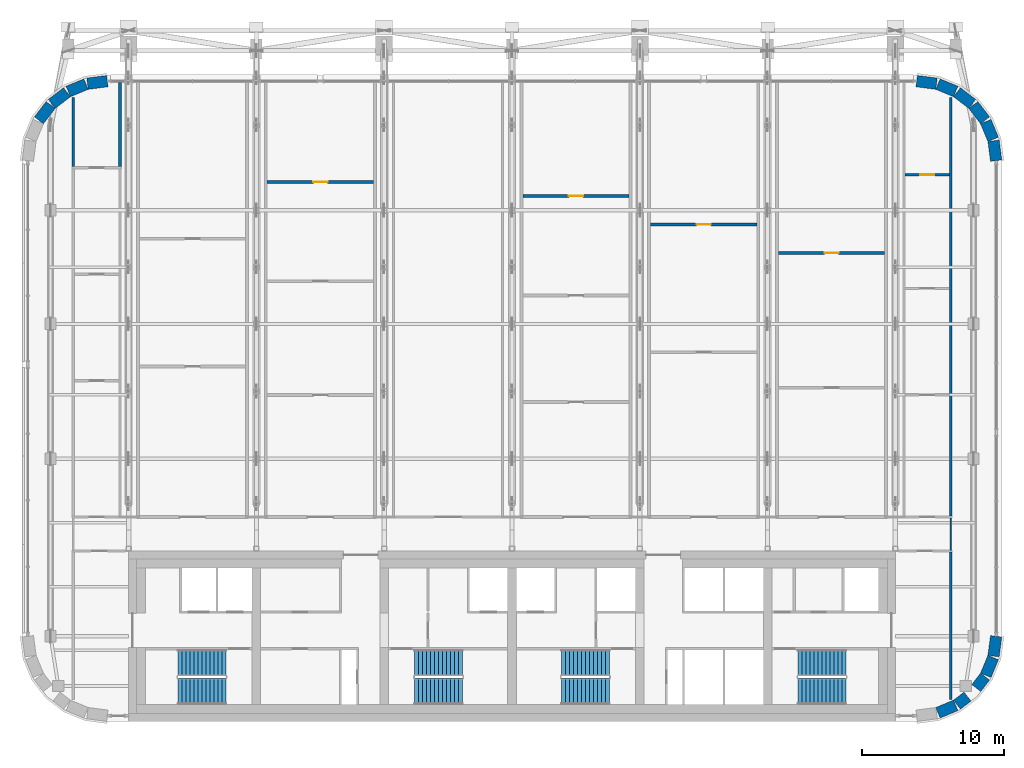
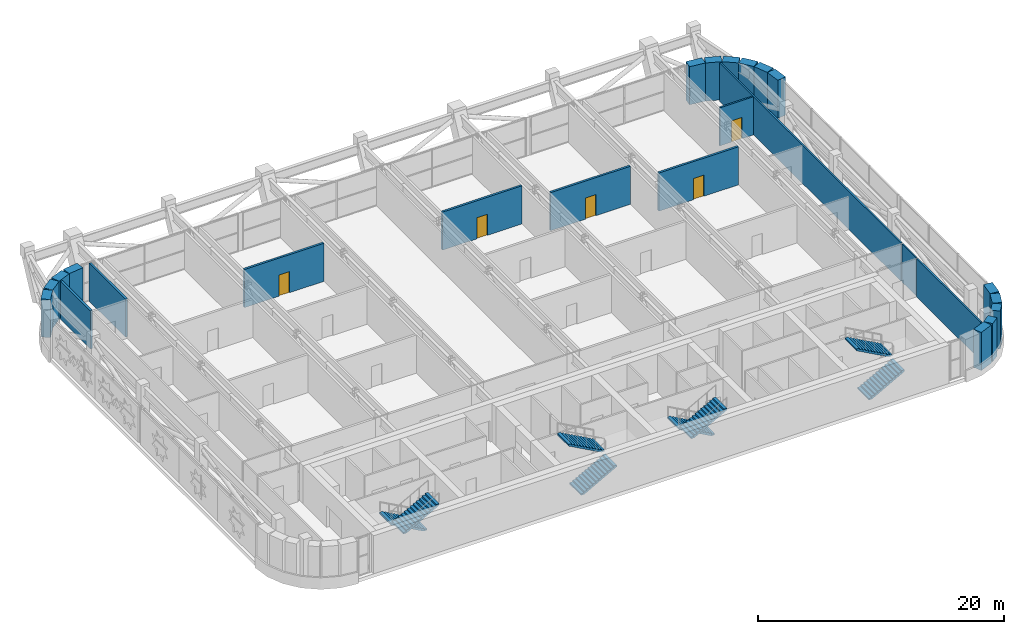
# One storey, part 21 of 28: 25 walls, 8 stair flights, 5 doors, 5 openings, 4 elements without a shape of their own.
"""IFC4 building model written with IfcOpenShell, lengths in metres."""

import ifcopenshell
import ifcopenshell.guid

model = None  # the IFC model being written
_history = None  # IfcOwnerHistory: only IFC2X3 demands one
_inside = {}  # id of a spatial element -> (the spatial element, [elements in it])
_under = {}  # id of a project, library or spatial element -> (it, [spatial elements below it])
_declared = {}  # id of a project -> (the project, [libraries it declares])
_typed = {}  # id of a type object -> (the type object, [elements of that type])
_made_of = {}  # id of a material, layer set ... -> (it, [elements and type objects made of it])


def new_model(schema):
    """Start an empty IFC model of exactly this schema.

    Asked for "IFC4X3", IfcOpenShell would pick the latest addendum, in which some entities
    have other attributes; the version numbers below select the first issue.
    IFC2X3 requires an IfcOwnerHistory on every rooted entity: one is made here for all.
    """
    global model, _history
    if schema == "IFC4X3":
        model = ifcopenshell.file(schema_version=(4, 3, 0, 0))
    else:
        model = ifcopenshell.file(schema=schema)
    _inside.clear()
    _under.clear()
    _declared.clear()
    _typed.clear()
    _made_of.clear()
    _history = None
    if model.schema == "IFC2X3":
        org = make("IfcOrganization", Name="unknown")
        user = make(
            "IfcPersonAndOrganization",
            ThePerson=make("IfcPerson", FamilyName="unknown"),
            TheOrganization=org,
        )
        app = make(
            "IfcApplication",
            ApplicationDeveloper=org,
            Version="unknown",
            ApplicationFullName="unknown",
            ApplicationIdentifier="unknown",
        )
        _history = make(
            "IfcOwnerHistory",
            OwningUser=user,
            OwningApplication=app,
            ChangeAction="ADDED",
            CreationDate=0,
        )
    return model


def make(cls, **values):
    """One entity of the class cls with the attributes given. An attribute that is None is left unset."""
    return model.create_entity(
        cls, **{name: value for name, value in values.items() if value is not None}
    )


def rooted(cls, **values):
    """An entity with a GlobalId (a new one), such as an element, a storey or a relation."""
    return make(cls, GlobalId=ifcopenshell.guid.new(), OwnerHistory=_history, **values)


def si_unit(unit_type, name, prefix=None):
    """IfcSIUnit, for example si_unit("LENGTHUNIT", "METRE", prefix="MILLI")."""
    return make("IfcSIUnit", UnitType=unit_type, Prefix=prefix, Name=name)


def assignment(units):
    """IfcUnitAssignment: the units of a project."""
    return None if units is None else make("IfcUnitAssignment", Units=units)


def point(xyz):
    """IfcCartesianPoint."""
    return None if xyz is None else make("IfcCartesianPoint", Coordinates=xyz)


def direction(xyz):
    """IfcDirection."""
    return None if xyz is None else make("IfcDirection", DirectionRatios=xyz)


def frame(location, z_axis=None, x_axis=None):
    """IfcAxis2Placement3D, a coordinate frame: its origin and axes. An axis left out is left unset."""
    return make(
        "IfcAxis2Placement3D",
        Location=point(location),
        Axis=direction(z_axis),
        RefDirection=direction(x_axis),
    )


def frame_2d(location, x_axis=None):
    """IfcAxis2Placement2D, a coordinate frame in the plane: its origin and x axis."""
    return make(
        "IfcAxis2Placement2D", Location=point(location), RefDirection=direction(x_axis)
    )


def origin():
    """The frame at (0, 0, 0) with its axes left unset."""
    return frame((0.0, 0.0, 0.0))


def place(relative_to, where):
    """IfcLocalPlacement: puts the frame where relative to a parent placement (None: the world)."""
    return make(
        "IfcLocalPlacement", PlacementRelTo=relative_to, RelativePlacement=where
    )


def context(
    kind, dimensions, precision=None, world=None, true_north=None, identifier=None
):
    """IfcGeometricRepresentationContext, for example the 3D "Model" context."""
    return make(
        "IfcGeometricRepresentationContext",
        ContextIdentifier=identifier,
        ContextType=kind,
        CoordinateSpaceDimension=dimensions,
        Precision=precision,
        WorldCoordinateSystem=world,
        TrueNorth=true_north,
    )


def subcontext(parent, identifier, kind, view, scale=None):
    """IfcGeometricRepresentationSubContext, for example "Body" below "Model"."""
    return make(
        "IfcGeometricRepresentationSubContext",
        ContextIdentifier=identifier,
        ContextType=kind,
        ParentContext=parent,
        TargetScale=scale,
        TargetView=view,
    )


def project(units=None, contexts=None):
    """IfcProject with its units and contexts."""
    return rooted(
        "IfcProject",
        Name="project",
        RepresentationContexts=contexts,
        UnitsInContext=assignment(units),
    )


def spatial(cls, under=None, at=None, **own):
    """A site, building, storey or space (cls), placed at a placement, below another one or the project."""
    s = rooted(cls, ObjectPlacement=at, **own)
    if under is not None:
        _under.setdefault(under.id(), (under, []))[1].append(s)
    return s


def polyline(points):
    """IfcPolyline through the points."""
    return make("IfcPolyline", Points=[point(p) for p in points])


def profile(cls, at=None, kind="AREA", **sizes):
    """A parametric profile (cls). Its sizes go by their IFC names, for example OverallWidth=200.0."""
    return make(cls, ProfileType=kind, Position=at, **sizes)


def rectangle(**sizes):
    """IfcRectangleProfileDef."""
    return profile("IfcRectangleProfileDef", **sizes)


def outline(outer, holes=None, kind="AREA"):
    """IfcArbitraryClosedProfileDef: a profile drawn as a closed curve; with holes, ...WithVoids."""
    if holes is None:
        return make("IfcArbitraryClosedProfileDef", ProfileType=kind, OuterCurve=outer)
    return make(
        "IfcArbitraryProfileDefWithVoids",
        ProfileType=kind,
        OuterCurve=outer,
        InnerCurves=holes,
    )


def extrude(swept, where, along, depth):
    """IfcExtrudedAreaSolid: the profile swept, set in the frame where, extruded along a direction by depth."""
    return make(
        "IfcExtrudedAreaSolid",
        SweptArea=swept,
        Position=where,
        ExtrudedDirection=direction(along),
        Depth=depth,
    )


def shape(context_of_items, identifier, shape_type, items):
    """IfcShapeRepresentation: the items that make up one representation, for example the "Body"."""
    return make(
        "IfcShapeRepresentation",
        ContextOfItems=context_of_items,
        RepresentationIdentifier=identifier,
        RepresentationType=shape_type,
        Items=items,
    )


def material(Name=None, Category=None):
    """IfcMaterial."""
    return make("IfcMaterial", Name=Name, Category=Category)


def layer(
    of_material, thickness, ventilated=None, Name=None, Category=None, Priority=None
):
    """IfcMaterialLayer: one layer of a wall or slab, of a material (None: an air gap)."""
    return make(
        "IfcMaterialLayer",
        Material=of_material,
        LayerThickness=thickness,
        IsVentilated=ventilated,
        Name=Name,
        Category=Category,
        Priority=Priority,
    )


def layer_set(layers, Name=None):
    """IfcMaterialLayerSet."""
    return make("IfcMaterialLayerSet", MaterialLayers=layers, LayerSetName=Name)


def made_of(thing, what):
    """Note that an element or type object is made of a material, layer set ...; save() writes the relation."""
    if what is not None:
        _made_of.setdefault(what.id(), (what, []))[1].append(thing)
    return thing


def type_object(cls, material=None, **own):
    """A type object (cls), such as IfcWallType, which elements share."""
    return made_of(rooted(cls, **own), material)


def element(
    cls,
    number,
    at=None,
    inside=None,
    cuts=None,
    type_object=None,
    material=None,
    context=None,
    identifier="Body",
    shape_type=None,
    held_by="IfcProductDefinitionShape",
    body=None,
    shapes=None,
    **own,
):
    """One element of the class cls, such as IfcWall. Its Tag is "e" and its number.

    at: its placement. inside: the storey or other place that contains it. cuts: it is an
    opening in that element (IfcRelVoidsElement). A single representation is given by context,
    identifier, shape_type and body (its items); several are given by shapes. held_by: the class
    of the entity that holds the representations. save() writes the other relations.
    """
    e = rooted(cls, Tag="e%d" % number, ObjectPlacement=at, **own)
    if body is not None:
        shapes = [shape(context, identifier, shape_type, body)]
    if shapes is not None:
        e.Representation = make(held_by, Representations=shapes)
    if inside is not None:
        _inside.setdefault(inside.id(), (inside, []))[1].append(e)
    if cuts is not None:
        rooted(
            "IfcRelVoidsElement", RelatingBuildingElement=cuts, RelatedOpeningElement=e
        )
    if type_object is not None:
        _typed.setdefault(type_object.id(), (type_object, []))[1].append(e)
    return made_of(e, material)


def fill(opening, filler):
    """IfcRelFillsElement: the door or window that sits in an opening."""
    return rooted(
        "IfcRelFillsElement",
        RelatingOpeningElement=opening,
        RelatedBuildingElement=filler,
    )


def aggregate(whole, parts):
    """IfcRelAggregates: a whole, such as a stair, and the parts it consists of."""
    return rooted("IfcRelAggregates", RelatingObject=whole, RelatedObjects=parts)


def save(model, path):
    """Write the relations noted so far, then the file.

    IfcRelAggregates (storeys below a building ...), IfcRelContainedInSpatialStructure (elements
    in a storey), IfcRelDefinesByType, IfcRelAssociatesMaterial and IfcRelDeclares: one each for
    every whole, place, type object, material and project.
    """
    for whole, parts in _under.values():
        aggregate(whole, parts)
    for where, things in _inside.values():
        rooted(
            "IfcRelContainedInSpatialStructure",
            RelatedElements=things,
            RelatingStructure=where,
        )
    for kind, things in _typed.values():
        rooted("IfcRelDefinesByType", RelatedObjects=things, RelatingType=kind)
    for what, things in _made_of.values():
        rooted("IfcRelAssociatesMaterial", RelatedObjects=things, RelatingMaterial=what)
    for by, libraries in _declared.values():
        rooted("IfcRelDeclares", RelatingContext=by, RelatedDefinitions=libraries)
    model.write(path)


model = new_model("IFC4")

# Units and contexts
model_context = context("Model", 3, precision=1e-05, world=origin(), true_north=direction((0.0, 1.0)))
body_context = subcontext(model_context, "Body", "Model", "MODEL_VIEW")
ifc_project = project(units=[si_unit("LENGTHUNIT", "METRE"), si_unit("AREAUNIT", "SQUARE_METRE"), si_unit("VOLUMEUNIT", "CUBIC_METRE"), si_unit("PLANEANGLEUNIT", "RADIAN"), si_unit("MASSUNIT", "GRAM", prefix="KILO")], contexts=[model_context])

# Site, building, storey
site_placement = place(None, origin())
site = spatial("IfcSite", under=ifc_project, at=site_placement, CompositionType="ELEMENT")
building_placement = place(site_placement, origin())
building = spatial("IfcBuilding", under=site, at=building_placement, Name="Zellij Exchange Tower", CompositionType="ELEMENT")
storey_placement = place(building_placement, frame((0.0, 0.0, 268.5)))
storey = spatial("IfcBuildingStorey", under=building, at=storey_placement, Name="L63", CompositionType="ELEMENT", Elevation=268.5)

# Walls
ifc_material_1 = material(Name="Precast concrete C40/50", Category="concrete")
ifc_layer_1 = layer(ifc_material_1, 0.800048828125)
ifc_layer_set_1 = layer_set([ifc_layer_1], Name="Precast concrete C40/50")
wall_type_1 = type_object("IfcWallType", Name="ENV-EW1 Precast stone-piered wall 800", PredefinedType="SOLIDWALL", material=ifc_layer_set_1)
wall_1_placement = place(storey_placement, frame((29.997314453125, -13.3857421875, 0.0), z_axis=(0.0, 0.0, 1.0), x_axis=(0.923847774587, 0.38276009378, 0.0)))
element("IfcWall", 1, at=wall_1_placement, inside=storey, type_object=wall_type_1, Name="fac.L63.02", PredefinedType="SOLIDWALL", context=body_context, shape_type="SweptSolid", body=[
    extrude(rectangle(XDim=1.35546875, YDim=0.800048828125, at=frame_2d((0.677734375, 0.0))), origin(), (0.0, 0.0, 1.0), 3.780029296875),
])
wall_2_placement = place(storey_placement, frame((31.340087890625, -12.814697265625, 0.0), z_axis=(0.0, 0.0, 1.0), x_axis=(0.793344662299, 0.608772738221, 0.0)))
element("IfcWall", 2, at=wall_2_placement, inside=storey, type_object=wall_type_1, Name="fac.L63.03", PredefinedType="SOLIDWALL", context=body_context, shape_type="SweptSolid", body=[
    extrude(rectangle(XDim=0.93115234375, YDim=0.800048828125, at=frame_2d((0.465576171875, 0.0))), origin(), (0.0, 0.0, 1.0), 3.780029296875),
])
wall_3_placement = place(storey_placement, frame((32.69775390625, -11.64404296875, 0.0), z_axis=(0.0, 0.0, 1.0), x_axis=(0.608790576947, 0.793330973441, 0.0)))
element("IfcWall", 3, at=wall_3_placement, inside=storey, type_object=wall_type_1, Name="fac.L63.04", PredefinedType="SOLIDWALL", context=body_context, shape_type="SweptSolid", body=[
    extrude(rectangle(XDim=1.013427734375, YDim=0.800048828125, at=frame_2d((0.5068359375, 0.0))), origin(), (0.0, 0.0, 1.0), 3.780029296875),
])
wall_4_placement = place(storey_placement, frame((33.366943359375, -10.74951171875, 0.0), z_axis=(0.0, 0.0, 1.0), x_axis=(0.38276009378, 0.923847774587, 0.0)))
element("IfcWall", 4, at=wall_4_placement, inside=storey, type_object=wall_type_1, Name="fac.L63.05", PredefinedType="SOLIDWALL", context=body_context, shape_type="SweptSolid", body=[
    extrude(rectangle(XDim=1.35546875, YDim=0.800048828125, at=frame_2d((0.677734375, 0.0))), origin(), (0.0, 0.0, 1.0), 3.780029296875),
])
for number, where, z_axis, x_axis, name in (
    (5, (33.912841796875, -9.396240234375, 0.0), (0.0, 0.0, 1.0), (0.130517283865, 0.99144603414, 0.0), "fac.L63.06"),
    (6, (34.0966796875, 25.499755859375, 0.0), (0.0, 0.0, 1.0), (-0.130517283865, 0.99144603414, 0.0), "fac.L63.08"),
):
    element("IfcWall", number, at=place(storey_placement, frame(where, z_axis=z_axis, x_axis=x_axis)), inside=storey, type_object=wall_type_1, Name=name, PredefinedType="SOLIDWALL", context=body_context, shape_type="SweptSolid", body=[
        extrude(rectangle(XDim=1.408447265625, YDim=0.800048828125, at=frame_2d((0.7041015625, 0.0))), origin(), (0.0, 0.0, 1.0), 3.780029296875),
    ])
wall_5_placement = place(storey_placement, frame((33.8857421875, 26.997314453125, 0.0), z_axis=(0.0, 0.0, 1.0), x_axis=(-0.38276009378, 0.923847774587, 0.0)))
element("IfcWall", 7, at=wall_5_placement, inside=storey, type_object=wall_type_1, Name="fac.L63.09", PredefinedType="SOLIDWALL", context=body_context, shape_type="SweptSolid", body=[
    extrude(rectangle(XDim=1.35546875, YDim=0.800048828125, at=frame_2d((0.677734375, 0.0))), origin(), (0.0, 0.0, 1.0), 3.780029296875),
])
for number, where, z_axis, x_axis, name in (
    (8, (33.314697265625, 28.340087890625, 0.0), (0.0, 0.0, 1.0), (-0.608866226366, 0.793272915452, 0.0), "fac.L63.10"),
    (9, (32.41552734375, 29.4892578125, 0.0), (0.0, 0.0, 1.0), (-0.793272915452, 0.608866226366, 0.0), "fac.L63.11"),
):
    element("IfcWall", number, at=place(storey_placement, frame(where, z_axis=z_axis, x_axis=x_axis)), inside=storey, type_object=wall_type_1, Name=name, PredefinedType="SOLIDWALL", context=body_context, shape_type="SweptSolid", body=[
        extrude(rectangle(XDim=1.355712890625, YDim=0.800048828125, at=frame_2d((0.677734375, 0.0))), origin(), (0.0, 0.0, 1.0), 3.780029296875),
    ])
wall_6_placement = place(storey_placement, frame((31.24951171875, 30.366943359375, 0.0), z_axis=(0.0, 0.0, 1.0), x_axis=(-0.923847774587, 0.38276009378, 0.0)))
element("IfcWall", 10, at=wall_6_placement, inside=storey, type_object=wall_type_1, Name="fac.L63.12", PredefinedType="SOLIDWALL", context=body_context, shape_type="SweptSolid", body=[
    extrude(rectangle(XDim=1.35546875, YDim=0.800048828125, at=frame_2d((0.677734375, 0.0))), origin(), (0.0, 0.0, 1.0), 3.780029296875),
])
for number, where, z_axis, x_axis, name in (
    (11, (29.896240234375, 30.912841796875, 0.0), (0.0, 0.0, 1.0), (-0.99144603414, 0.130517283865, 0.0), "fac.L63.13"),
    (12, (-28.499755859375, 31.0966796875, 0.0), (0.0, 0.0, 1.0), (-0.99144603414, -0.130517283865, 0.0), "fac.L63.15"),
):
    element("IfcWall", number, at=place(storey_placement, frame(where, z_axis=z_axis, x_axis=x_axis)), inside=storey, type_object=wall_type_1, Name=name, PredefinedType="SOLIDWALL", context=body_context, shape_type="SweptSolid", body=[
        extrude(rectangle(XDim=1.408447265625, YDim=0.800048828125, at=frame_2d((0.7041015625, 0.0))), origin(), (0.0, 0.0, 1.0), 3.780029296875),
    ])
wall_7_placement = place(storey_placement, frame((-29.997314453125, 30.8857421875, 0.0), z_axis=(0.0, 0.0, 1.0), x_axis=(-0.923847774587, -0.38276009378, 0.0)))
element("IfcWall", 13, at=wall_7_placement, inside=storey, type_object=wall_type_1, Name="fac.L63.16", PredefinedType="SOLIDWALL", context=body_context, shape_type="SweptSolid", body=[
    extrude(rectangle(XDim=1.35546875, YDim=0.800048828125, at=frame_2d((0.677734375, 0.0))), origin(), (0.0, 0.0, 1.0), 3.780029296875),
])
for number, where, z_axis, x_axis, name in (
    (14, (-31.340087890625, 30.314697265625, 0.0), (0.0, 0.0, 1.0), (-0.793272915452, -0.608866226366, 0.0), "fac.L63.17"),
    (15, (-32.4892578125, 29.41552734375, 0.0), (0.0, 0.0, 1.0), (-0.608866226366, -0.793272915452, 0.0), "fac.L63.18"),
):
    element("IfcWall", number, at=place(storey_placement, frame(where, z_axis=z_axis, x_axis=x_axis)), inside=storey, type_object=wall_type_1, Name=name, PredefinedType="SOLIDWALL", context=body_context, shape_type="SweptSolid", body=[
        extrude(rectangle(XDim=1.355712890625, YDim=0.800048828125, at=frame_2d((0.677734375, 0.0))), origin(), (0.0, 0.0, 1.0), 3.780029296875),
    ])

# Wall, opening, door
ifc_material_2 = material(Name="Blockwork fire wall", Category="masonry")
ifc_layer_2 = layer(ifc_material_2, 0.199951171875)
ifc_layer_set_2 = layer_set([ifc_layer_2], Name="Blockwork fire wall")
wall_type_2 = type_object("IfcWallType", Name="FIT-BLOCKWORK-200-EI120", PredefinedType="PARTITIONING", material=ifc_layer_set_2)
wall_8_placement = place(storey_placement, frame((18.760009765625, 19.0, 0.0), z_axis=(0.0, 0.0, 1.0), x_axis=(1.0, 0.0, 0.0)))
wall_8 = element("IfcWall", 16, at=wall_8_placement, inside=storey, type_object=wall_type_2, Name="FIT-BLOCKWORK-200-EI120 049", PredefinedType="PARTITIONING", context=body_context, shape_type="SweptSolid", body=[
    extrude(rectangle(XDim=7.47998046875, YDim=0.199951171875, at=frame_2d((3.739990234375, 0.0))), origin(), (0.0, 0.0, 1.0), 3.780029296875),
])
opening_1_placement = place(wall_8_placement, frame((3.25, 0.0, 0.0)))
opening_1 = element("IfcOpeningElement", 17, at=opening_1_placement, cuts=wall_8, Name="Opening PL63.22", PredefinedType="OPENING", context=body_context, shape_type="SweptSolid", body=[
    extrude(rectangle(XDim=1.0, YDim=2.10009765625, at=frame_2d((0.5, 1.050048828125))), frame((0.0, 0.11181640625, 0.0), z_axis=(0.0, -1.0, 0.0), x_axis=(1.0, 0.0, 0.0)), (0.0, 0.0, 1.0), 0.223876953125),
])
ifc_material_3 = material(Name="Steel fire door set", Category="steel")
door_type = type_object("IfcDoorType", Name="FIT-D4-FIRE-1000X2100", OperationType="SINGLE_SWING_LEFT", PredefinedType="DOOR", material=ifc_material_3)
door_1_placement = place(opening_1_placement, origin())
door_1 = element("IfcDoor", 18, at=door_1_placement, inside=storey, type_object=door_type, Name="Door PL63.22", OperationType="SINGLE_SWING_RIGHT", OverallHeight=2.10009765625, OverallWidth=1.0, PredefinedType="DOOR", context=body_context, shape_type="SweptSolid", body=[
    extrude(rectangle(XDim=1.0, YDim=2.10009765625, at=frame_2d((0.5, 1.050048828125))), frame((0.0, 0.02490234375, 0.0), z_axis=(0.0, -1.0, 0.0), x_axis=(1.0, 0.0, 0.0)), (0.0, 0.0, 1.0), 0.050048828125),
])
fill(opening_1, door_1)

wall_9_placement = place(storey_placement, frame((9.760009765625, 21.0, 0.0), z_axis=(0.0, 0.0, 1.0), x_axis=(1.0, 0.0, 0.0)))
wall_9 = element("IfcWall", 19, at=wall_9_placement, inside=storey, type_object=wall_type_2, Name="FIT-BLOCKWORK-200-EI120 051", PredefinedType="PARTITIONING", context=body_context, shape_type="SweptSolid", body=[
    extrude(rectangle(XDim=7.47998046875, YDim=0.199951171875, at=frame_2d((3.739990234375, 0.0))), origin(), (0.0, 0.0, 1.0), 3.780029296875),
])
opening_2_placement = place(wall_9_placement, frame((3.25, 0.0, 0.0)))
opening_2 = element("IfcOpeningElement", 20, at=opening_2_placement, cuts=wall_9, Name="Opening PL63.24", PredefinedType="OPENING", context=body_context, shape_type="SweptSolid", body=[
    extrude(rectangle(XDim=1.0, YDim=2.10009765625, at=frame_2d((0.5, 1.050048828125))), frame((0.0, 0.11181640625, 0.0), z_axis=(0.0, -1.0, 0.0), x_axis=(1.0, 0.0, 0.0)), (0.0, 0.0, 1.0), 0.223876953125),
])
door_2_placement = place(opening_2_placement, origin())
door_2 = element("IfcDoor", 21, at=door_2_placement, inside=storey, type_object=door_type, Name="Door PL63.24", OperationType="SINGLE_SWING_RIGHT", OverallHeight=2.10009765625, OverallWidth=1.0, PredefinedType="DOOR", context=body_context, shape_type="SweptSolid", body=[
    extrude(rectangle(XDim=1.0, YDim=2.10009765625, at=frame_2d((0.5, 1.050048828125))), frame((0.0, 0.02490234375, 0.0), z_axis=(0.0, -1.0, 0.0), x_axis=(1.0, 0.0, 0.0)), (0.0, 0.0, 1.0), 0.050048828125),
])
fill(opening_2, door_2)

wall_10_placement = place(storey_placement, frame((0.760009765625, 23.0, 0.0), z_axis=(0.0, 0.0, 1.0), x_axis=(1.0, 0.0, 0.0)))
wall_10 = element("IfcWall", 22, at=wall_10_placement, inside=storey, type_object=wall_type_2, Name="FIT-BLOCKWORK-200-EI120 052", PredefinedType="PARTITIONING", context=body_context, shape_type="SweptSolid", body=[
    extrude(rectangle(XDim=7.47998046875, YDim=0.199951171875, at=frame_2d((3.739990234375, 0.0))), origin(), (0.0, 0.0, 1.0), 3.780029296875),
])
opening_3_placement = place(wall_10_placement, frame((3.25, 0.0, 0.0)))
opening_3 = element("IfcOpeningElement", 23, at=opening_3_placement, cuts=wall_10, Name="Opening PL63.25", PredefinedType="OPENING", context=body_context, shape_type="SweptSolid", body=[
    extrude(rectangle(XDim=1.0, YDim=2.10009765625, at=frame_2d((0.5, 1.050048828125))), frame((0.0, 0.11181640625, 0.0), z_axis=(0.0, -1.0, 0.0), x_axis=(1.0, 0.0, 0.0)), (0.0, 0.0, 1.0), 0.223876953125),
])
door_3_placement = place(opening_3_placement, origin())
door_3 = element("IfcDoor", 24, at=door_3_placement, inside=storey, type_object=door_type, Name="Door PL63.25", OperationType="SINGLE_SWING_RIGHT", OverallHeight=2.10009765625, OverallWidth=1.0, PredefinedType="DOOR", context=body_context, shape_type="SweptSolid", body=[
    extrude(rectangle(XDim=1.0, YDim=2.10009765625, at=frame_2d((0.5, 1.050048828125))), frame((0.0, 0.02490234375, 0.0), z_axis=(0.0, -1.0, 0.0), x_axis=(1.0, 0.0, 0.0)), (0.0, 0.0, 1.0), 0.050048828125),
])
fill(opening_3, door_3)

wall_11_placement = place(storey_placement, frame((-17.239990234375, 24.0, 0.0), z_axis=(0.0, 0.0, 1.0), x_axis=(1.0, 0.0, 0.0)))
wall_11 = element("IfcWall", 25, at=wall_11_placement, inside=storey, type_object=wall_type_2, Name="FIT-BLOCKWORK-200-EI120 053", PredefinedType="PARTITIONING", context=body_context, shape_type="SweptSolid", body=[
    extrude(rectangle(XDim=7.47998046875, YDim=0.199951171875, at=frame_2d((3.739990234375, 0.0))), origin(), (0.0, 0.0, 1.0), 3.780029296875),
])
opening_4_placement = place(wall_11_placement, frame((3.25, 0.0, 0.0)))
opening_4 = element("IfcOpeningElement", 26, at=opening_4_placement, cuts=wall_11, Name="Opening PL63.26", PredefinedType="OPENING", context=body_context, shape_type="SweptSolid", body=[
    extrude(rectangle(XDim=1.0, YDim=2.10009765625, at=frame_2d((0.5, 1.050048828125))), frame((0.0, 0.11181640625, 0.0), z_axis=(0.0, -1.0, 0.0), x_axis=(1.0, 0.0, 0.0)), (0.0, 0.0, 1.0), 0.223876953125),
])
door_4_placement = place(opening_4_placement, origin())
door_4 = element("IfcDoor", 27, at=door_4_placement, inside=storey, type_object=door_type, Name="Door PL63.26", OperationType="SINGLE_SWING_RIGHT", OverallHeight=2.10009765625, OverallWidth=1.0, PredefinedType="DOOR", context=body_context, shape_type="SweptSolid", body=[
    extrude(rectangle(XDim=1.0, YDim=2.10009765625, at=frame_2d((0.5, 1.050048828125))), frame((0.0, 0.02490234375, 0.0), z_axis=(0.0, -1.0, 0.0), x_axis=(1.0, 0.0, 0.0)), (0.0, 0.0, 1.0), 0.050048828125),
])
fill(opening_4, door_4)

# Walls
wall_12_placement = place(storey_placement, frame((-30.89990234375, 25.10009765625, 0.0), z_axis=(0.0, 0.0, 1.0), x_axis=(0.0, 1.0, 0.0)))
element("IfcWall", 28, at=wall_12_placement, inside=storey, type_object=wall_type_2, Name="FIT-BLOCKWORK-200-EI120 056", PredefinedType="PARTITIONING", context=body_context, shape_type="SweptSolid", body=[
    extrude(rectangle(XDim=4.83984375, YDim=0.199951171875, at=frame_2d((2.419921875, 0.0))), origin(), (0.0, 0.0, 1.0), 3.780029296875),
])
wall_13_placement = place(storey_placement, frame((-27.60009765625, 25.10009765625, 0.0), z_axis=(0.0, 0.0, 1.0), x_axis=(0.0, 1.0, 0.0)))
element("IfcWall", 29, at=wall_13_placement, inside=storey, type_object=wall_type_2, Name="FIT-BLOCKWORK-200-EI120 057", PredefinedType="PARTITIONING", context=body_context, shape_type="SweptSolid", body=[
    extrude(rectangle(XDim=5.89599609375, YDim=0.199951171875, at=frame_2d((2.947998046875, 0.0))), origin(), (0.0, 0.0, 1.0), 3.780029296875),
])
ifc_material_4 = material(Name="Gypsum board partition on steel studs", Category="steel")
ifc_layer_3 = layer(ifc_material_4, 0.10009765625)
ifc_layer_set_3 = layer_set([ifc_layer_3], Name="Gypsum board partition on steel studs")
wall_type_3 = type_object("IfcWallType", Name="FIT-PARTITION-100", PredefinedType="PARTITIONING", material=ifc_layer_set_3)
wall_14_placement = place(storey_placement, frame((30.89990234375, -1.925048828125, 0.0), z_axis=(0.0, 0.0, 1.0), x_axis=(0.0, 1.0, 0.0)))
element("IfcWall", 30, at=wall_14_placement, inside=storey, type_object=wall_type_3, Name="FIT-PARTITION-100 006", PredefinedType="PARTITIONING", context=body_context, shape_type="SweptSolid", body=[
    extrude(rectangle(XDim=2.25, YDim=0.10009765625, at=frame_2d((1.125, 0.0))), origin(), (0.0, 0.0, 1.0), 3.780029296875),
])
ifc_material_5 = material(Name="Gypsum board shaft-wall partition", Category="gypsum")
ifc_layer_4 = layer(ifc_material_5, 0.14990234375)
ifc_layer_set_4 = layer_set([ifc_layer_4], Name="Gypsum board shaft-wall partition")
wall_type_4 = type_object("IfcWallType", Name="FIT-PARTITION-150-EI60", PredefinedType="PARTITIONING", material=ifc_layer_set_4)
wall_15_placement = place(storey_placement, frame((30.89990234375, -12.43994140625, 0.0), z_axis=(0.0, 0.0, 1.0), x_axis=(0.0, 1.0, 0.0)))
element("IfcWall", 31, at=wall_15_placement, inside=storey, type_object=wall_type_4, Name="FIT-PARTITION-150-EI60 002", PredefinedType="PARTITIONING", context=body_context, shape_type="SweptSolid", body=[
    extrude(rectangle(XDim=10.364990234375, YDim=0.14990234375, at=frame_2d((5.1826171875, 0.0))), origin(), (0.0, 0.0, 1.0), 3.780029296875),
])
wall_16_placement = place(storey_placement, frame((30.89990234375, 0.47509765625, 0.0), z_axis=(0.0, 0.0, 1.0), x_axis=(0.0, 1.0, 0.0)))
element("IfcWall", 32, at=wall_16_placement, inside=storey, type_object=wall_type_4, Name="FIT-PARTITION-150-EI60 037", PredefinedType="PARTITIONING", context=body_context, shape_type="SweptSolid", body=[
    extrude(rectangle(XDim=29.46484375, YDim=0.14990234375, at=frame_2d((14.732421875, 0.0))), origin(), (0.0, 0.0, 1.0), 3.780029296875),
])

# Wall, opening, door
wall_17_placement = place(storey_placement, frame((27.675048828125, 24.5, 0.0), z_axis=(0.0, 0.0, 1.0), x_axis=(1.0, 0.0, 0.0)))
wall_17 = element("IfcWall", 33, at=wall_17_placement, inside=storey, type_object=wall_type_4, Name="FIT-PARTITION-150-EI60 054", PredefinedType="PARTITIONING", context=body_context, shape_type="SweptSolid", body=[
    extrude(rectangle(XDim=3.14990234375, YDim=0.14990234375, at=frame_2d((1.574951171875, 0.0))), origin(), (0.0, 0.0, 1.0), 3.780029296875),
])
opening_5_placement = place(wall_17_placement, frame((1.074951171875, 0.0, 0.0)))
opening_5 = element("IfcOpeningElement", 34, at=opening_5_placement, cuts=wall_17, Name="Opening PL63.27", PredefinedType="OPENING", context=body_context, shape_type="SweptSolid", body=[
    extrude(rectangle(XDim=1.0, YDim=2.10009765625, at=frame_2d((0.5, 1.050048828125))), frame((0.0, 0.0869140625, 0.0), z_axis=(0.0, -1.0, 0.0), x_axis=(1.0, 0.0, 0.0)), (0.0, 0.0, 1.0), 0.173828125),
])
door_5_placement = place(opening_5_placement, origin())
door_5 = element("IfcDoor", 35, at=door_5_placement, inside=storey, type_object=door_type, Name="Door PL63.27", OperationType="SINGLE_SWING_RIGHT", OverallHeight=2.10009765625, OverallWidth=1.0, PredefinedType="DOOR", context=body_context, shape_type="SweptSolid", body=[
    extrude(rectangle(XDim=1.0, YDim=2.10009765625, at=frame_2d((0.5, 1.050048828125))), frame((0.0, 0.02490234375, 0.0), z_axis=(0.0, -1.0, 0.0), x_axis=(1.0, 0.0, 0.0)), (0.0, 0.0, 1.0), 0.050048828125),
])
fill(opening_5, door_5)

# Stair, stair flights
ifc_material_6 = material(Name="Concrete C40/50", Category="concrete")
stair_type = type_object("IfcStairType", Name="CORE-ST exit stair 1850 wide", PredefinedType="HALF_TURN_STAIR", material=ifc_material_6)
stair_1_placement = place(storey_placement, origin())
stair_1 = element("IfcStair", 36, at=stair_1_placement, inside=storey, type_object=stair_type, Name="L63 exit stair ST1", PredefinedType="HALF_TURN_STAIR")
stair_flight_type = type_object("IfcStairFlightType", Name="CORE-SF flight 1850 riser 153.8 going 280", PredefinedType="STRAIGHT", material=ifc_material_6)
stair_flight_1_placement = place(storey_placement, frame((-20.14990234375, -9.875, 0.0), z_axis=(0.0, 0.0, 1.0), x_axis=(-1.0, 0.0, 0.0)))
stair_flight_1 = element("IfcStairFlight", 37, at=stair_flight_1_placement, type_object=stair_flight_type, Name="ST1 flight 1", NumberOfRisers=13, NumberOfTreads=12, PredefinedType="STRAIGHT", RiserHeight=0.153846154, TreadLength=0.28, context=body_context, shape_type="SweptSolid", body=[
    extrude(outline(polyline([(0.0, 0.0), (0.0, 0.15380859375), (0.280029296875, 0.15380859375), (0.280029296875, 0.3076171875), (0.56005859375, 0.3076171875), (0.56005859375, 0.46142578125), (0.840087890625, 0.46142578125), (0.840087890625, 0.615478515625), (1.1201171875, 0.615478515625), (1.1201171875, 0.769287109375), (1.39990234375, 0.769287109375), (1.39990234375, 0.923095703125), (1.679931640625, 0.923095703125), (1.679931640625, 1.076904296875), (1.9599609375, 1.076904296875), (1.9599609375, 1.230712890625), (2.239990234375, 1.230712890625), (2.239990234375, 1.384521484375), (2.52001953125, 1.384521484375), (2.52001953125, 1.53857421875), (2.800048828125, 1.53857421875), (2.800048828125, 1.6923828125), (3.080078125, 1.6923828125), (3.080078125, 1.84619140625), (3.360107421875, 1.84619140625), (3.360107421875, 2.0), (3.360107421875, 1.675048828125), (0.311279296875, 0.0), (0.0, 0.0)])), frame((0.0, 0.925048828125, 0.0), z_axis=(0.0, -1.0, 0.0), x_axis=(1.0, 0.0, 0.0)), (0.0, 0.0, 1.0), 1.85009765625),
])
stair_flight_2_placement = place(storey_placement, frame((-23.510009765625, -11.875, 2.0), z_axis=(0.0, 0.0, 1.0), x_axis=(1.0, 0.0, 0.0)))
stair_flight_2 = element("IfcStairFlight", 38, at=stair_flight_2_placement, type_object=stair_flight_type, Name="ST1 flight 2", NumberOfRisers=13, NumberOfTreads=12, PredefinedType="STRAIGHT", RiserHeight=0.153846154, TreadLength=0.28, context=body_context, shape_type="SweptSolid", body=[
    extrude(outline(polyline([(0.0, 0.0), (0.0, 0.15380859375), (0.280029296875, 0.15380859375), (0.280029296875, 0.3076171875), (0.56005859375, 0.3076171875), (0.56005859375, 0.46142578125), (0.840087890625, 0.46142578125), (0.840087890625, 0.615478515625), (1.1201171875, 0.615478515625), (1.1201171875, 0.769287109375), (1.39990234375, 0.769287109375), (1.39990234375, 0.923095703125), (1.679931640625, 0.923095703125), (1.679931640625, 1.076904296875), (1.9599609375, 1.076904296875), (1.9599609375, 1.230712890625), (2.239990234375, 1.230712890625), (2.239990234375, 1.384521484375), (2.52001953125, 1.384521484375), (2.52001953125, 1.53857421875), (2.800048828125, 1.53857421875), (2.800048828125, 1.6923828125), (3.080078125, 1.6923828125), (3.080078125, 1.84619140625), (3.360107421875, 1.84619140625), (3.360107421875, 2.0), (3.360107421875, 1.675048828125), (0.311279296875, 0.0), (0.0, 0.0)])), frame((0.0, 0.925048828125, 0.0), z_axis=(0.0, -1.0, 0.0), x_axis=(1.0, 0.0, 0.0)), (0.0, 0.0, 1.0), 1.85009765625),
])
aggregate(stair_1, [stair_flight_1, stair_flight_2])

stair_2_placement = place(storey_placement, origin())
stair_2 = element("IfcStair", 39, at=stair_2_placement, inside=storey, type_object=stair_type, Name="L63 exit stair ST2", PredefinedType="HALF_TURN_STAIR")
stair_flight_3_placement = place(storey_placement, frame((-6.85009765625, -11.875, 0.0), z_axis=(0.0, 0.0, 1.0), x_axis=(1.0, 0.0, 0.0)))
stair_flight_3 = element("IfcStairFlight", 40, at=stair_flight_3_placement, type_object=stair_flight_type, Name="ST2 flight 1", NumberOfRisers=13, NumberOfTreads=12, PredefinedType="STRAIGHT", RiserHeight=0.153846154, TreadLength=0.28, context=body_context, shape_type="SweptSolid", body=[
    extrude(outline(polyline([(0.0, 0.0), (0.0, 0.15380859375), (0.280029296875, 0.15380859375), (0.280029296875, 0.3076171875), (0.56005859375, 0.3076171875), (0.56005859375, 0.46142578125), (0.840087890625, 0.46142578125), (0.840087890625, 0.615478515625), (1.1201171875, 0.615478515625), (1.1201171875, 0.769287109375), (1.39990234375, 0.769287109375), (1.39990234375, 0.923095703125), (1.679931640625, 0.923095703125), (1.679931640625, 1.076904296875), (1.9599609375, 1.076904296875), (1.9599609375, 1.230712890625), (2.239990234375, 1.230712890625), (2.239990234375, 1.384521484375), (2.52001953125, 1.384521484375), (2.52001953125, 1.53857421875), (2.800048828125, 1.53857421875), (2.800048828125, 1.6923828125), (3.080078125, 1.6923828125), (3.080078125, 1.84619140625), (3.360107421875, 1.84619140625), (3.360107421875, 2.0), (3.360107421875, 1.675048828125), (0.311279296875, 0.0), (0.0, 0.0)])), frame((0.0, 0.925048828125, 0.0), z_axis=(0.0, -1.0, 0.0), x_axis=(1.0, 0.0, 0.0)), (0.0, 0.0, 1.0), 1.85009765625),
])
stair_flight_4_placement = place(storey_placement, frame((-3.489990234375, -9.875, 2.0), z_axis=(0.0, 0.0, 1.0), x_axis=(-1.0, 0.0, 0.0)))
stair_flight_4 = element("IfcStairFlight", 41, at=stair_flight_4_placement, type_object=stair_flight_type, Name="ST2 flight 2", NumberOfRisers=13, NumberOfTreads=12, PredefinedType="STRAIGHT", RiserHeight=0.153846154, TreadLength=0.28, context=body_context, shape_type="SweptSolid", body=[
    extrude(outline(polyline([(0.0, 0.0), (0.0, 0.15380859375), (0.280029296875, 0.15380859375), (0.280029296875, 0.3076171875), (0.56005859375, 0.3076171875), (0.56005859375, 0.46142578125), (0.840087890625, 0.46142578125), (0.840087890625, 0.615478515625), (1.1201171875, 0.615478515625), (1.1201171875, 0.769287109375), (1.39990234375, 0.769287109375), (1.39990234375, 0.923095703125), (1.679931640625, 0.923095703125), (1.679931640625, 1.076904296875), (1.9599609375, 1.076904296875), (1.9599609375, 1.230712890625), (2.239990234375, 1.230712890625), (2.239990234375, 1.384521484375), (2.52001953125, 1.384521484375), (2.52001953125, 1.53857421875), (2.800048828125, 1.53857421875), (2.800048828125, 1.6923828125), (3.080078125, 1.6923828125), (3.080078125, 1.84619140625), (3.360107421875, 1.84619140625), (3.360107421875, 2.0), (3.360107421875, 1.675048828125), (0.311279296875, 0.0), (0.0, 0.0)])), frame((0.0, 0.925048828125, 0.0), z_axis=(0.0, -1.0, 0.0), x_axis=(1.0, 0.0, 0.0)), (0.0, 0.0, 1.0), 1.85009765625),
])
aggregate(stair_2, [stair_flight_3, stair_flight_4])

stair_3_placement = place(storey_placement, origin())
stair_3 = element("IfcStair", 42, at=stair_3_placement, inside=storey, type_object=stair_type, Name="L63 exit stair ST3", PredefinedType="HALF_TURN_STAIR")
stair_flight_5_placement = place(storey_placement, frame((6.85009765625, -9.875, 0.0), z_axis=(0.0, 0.0, 1.0), x_axis=(-1.0, 0.0, 0.0)))
stair_flight_5 = element("IfcStairFlight", 43, at=stair_flight_5_placement, type_object=stair_flight_type, Name="ST3 flight 1", NumberOfRisers=13, NumberOfTreads=12, PredefinedType="STRAIGHT", RiserHeight=0.153846154, TreadLength=0.28, context=body_context, shape_type="SweptSolid", body=[
    extrude(outline(polyline([(0.0, 0.0), (0.0, 0.15380859375), (0.280029296875, 0.15380859375), (0.280029296875, 0.3076171875), (0.56005859375, 0.3076171875), (0.56005859375, 0.46142578125), (0.840087890625, 0.46142578125), (0.840087890625, 0.615478515625), (1.1201171875, 0.615478515625), (1.1201171875, 0.769287109375), (1.39990234375, 0.769287109375), (1.39990234375, 0.923095703125), (1.679931640625, 0.923095703125), (1.679931640625, 1.076904296875), (1.9599609375, 1.076904296875), (1.9599609375, 1.230712890625), (2.239990234375, 1.230712890625), (2.239990234375, 1.384521484375), (2.52001953125, 1.384521484375), (2.52001953125, 1.53857421875), (2.800048828125, 1.53857421875), (2.800048828125, 1.6923828125), (3.080078125, 1.6923828125), (3.080078125, 1.84619140625), (3.360107421875, 1.84619140625), (3.360107421875, 2.0), (3.360107421875, 1.675048828125), (0.311279296875, 0.0), (0.0, 0.0)])), frame((0.0, 0.925048828125, 0.0), z_axis=(0.0, -1.0, 0.0), x_axis=(1.0, 0.0, 0.0)), (0.0, 0.0, 1.0), 1.85009765625),
])
stair_flight_6_placement = place(storey_placement, frame((3.489990234375, -11.875, 2.0), z_axis=(0.0, 0.0, 1.0), x_axis=(1.0, 0.0, 0.0)))
stair_flight_6 = element("IfcStairFlight", 44, at=stair_flight_6_placement, type_object=stair_flight_type, Name="ST3 flight 2", NumberOfRisers=13, NumberOfTreads=12, PredefinedType="STRAIGHT", RiserHeight=0.153846154, TreadLength=0.28, context=body_context, shape_type="SweptSolid", body=[
    extrude(outline(polyline([(0.0, 0.0), (0.0, 0.15380859375), (0.280029296875, 0.15380859375), (0.280029296875, 0.3076171875), (0.56005859375, 0.3076171875), (0.56005859375, 0.46142578125), (0.840087890625, 0.46142578125), (0.840087890625, 0.615478515625), (1.1201171875, 0.615478515625), (1.1201171875, 0.769287109375), (1.39990234375, 0.769287109375), (1.39990234375, 0.923095703125), (1.679931640625, 0.923095703125), (1.679931640625, 1.076904296875), (1.9599609375, 1.076904296875), (1.9599609375, 1.230712890625), (2.239990234375, 1.230712890625), (2.239990234375, 1.384521484375), (2.52001953125, 1.384521484375), (2.52001953125, 1.53857421875), (2.800048828125, 1.53857421875), (2.800048828125, 1.6923828125), (3.080078125, 1.6923828125), (3.080078125, 1.84619140625), (3.360107421875, 1.84619140625), (3.360107421875, 2.0), (3.360107421875, 1.675048828125), (0.311279296875, 0.0), (0.0, 0.0)])), frame((0.0, 0.925048828125, 0.0), z_axis=(0.0, -1.0, 0.0), x_axis=(1.0, 0.0, 0.0)), (0.0, 0.0, 1.0), 1.85009765625),
])
aggregate(stair_3, [stair_flight_5, stair_flight_6])

stair_4_placement = place(storey_placement, origin())
stair_4 = element("IfcStair", 45, at=stair_4_placement, inside=storey, type_object=stair_type, Name="L63 exit stair ST4", PredefinedType="HALF_TURN_STAIR")
stair_flight_7_placement = place(storey_placement, frame((20.14990234375, -11.875, 0.0), z_axis=(0.0, 0.0, 1.0), x_axis=(1.0, 0.0, 0.0)))
stair_flight_7 = element("IfcStairFlight", 46, at=stair_flight_7_placement, type_object=stair_flight_type, Name="ST4 flight 1", NumberOfRisers=13, NumberOfTreads=12, PredefinedType="STRAIGHT", RiserHeight=0.153846154, TreadLength=0.28, context=body_context, shape_type="SweptSolid", body=[
    extrude(outline(polyline([(0.0, 0.0), (0.0, 0.15380859375), (0.280029296875, 0.15380859375), (0.280029296875, 0.3076171875), (0.56005859375, 0.3076171875), (0.56005859375, 0.46142578125), (0.840087890625, 0.46142578125), (0.840087890625, 0.615478515625), (1.1201171875, 0.615478515625), (1.1201171875, 0.769287109375), (1.39990234375, 0.769287109375), (1.39990234375, 0.923095703125), (1.679931640625, 0.923095703125), (1.679931640625, 1.076904296875), (1.9599609375, 1.076904296875), (1.9599609375, 1.230712890625), (2.239990234375, 1.230712890625), (2.239990234375, 1.384521484375), (2.52001953125, 1.384521484375), (2.52001953125, 1.53857421875), (2.800048828125, 1.53857421875), (2.800048828125, 1.6923828125), (3.080078125, 1.6923828125), (3.080078125, 1.84619140625), (3.360107421875, 1.84619140625), (3.360107421875, 2.0), (3.360107421875, 1.675048828125), (0.311279296875, 0.0), (0.0, 0.0)])), frame((0.0, 0.925048828125, 0.0), z_axis=(0.0, -1.0, 0.0), x_axis=(1.0, 0.0, 0.0)), (0.0, 0.0, 1.0), 1.85009765625),
])
stair_flight_8_placement = place(storey_placement, frame((23.510009765625, -9.875, 2.0), z_axis=(0.0, 0.0, 1.0), x_axis=(-1.0, 0.0, 0.0)))
stair_flight_8 = element("IfcStairFlight", 47, at=stair_flight_8_placement, type_object=stair_flight_type, Name="ST4 flight 2", NumberOfRisers=13, NumberOfTreads=12, PredefinedType="STRAIGHT", RiserHeight=0.153846154, TreadLength=0.28, context=body_context, shape_type="SweptSolid", body=[
    extrude(outline(polyline([(0.0, 0.0), (0.0, 0.15380859375), (0.280029296875, 0.15380859375), (0.280029296875, 0.3076171875), (0.56005859375, 0.3076171875), (0.56005859375, 0.46142578125), (0.840087890625, 0.46142578125), (0.840087890625, 0.615478515625), (1.1201171875, 0.615478515625), (1.1201171875, 0.769287109375), (1.39990234375, 0.769287109375), (1.39990234375, 0.923095703125), (1.679931640625, 0.923095703125), (1.679931640625, 1.076904296875), (1.9599609375, 1.076904296875), (1.9599609375, 1.230712890625), (2.239990234375, 1.230712890625), (2.239990234375, 1.384521484375), (2.52001953125, 1.384521484375), (2.52001953125, 1.53857421875), (2.800048828125, 1.53857421875), (2.800048828125, 1.6923828125), (3.080078125, 1.6923828125), (3.080078125, 1.84619140625), (3.360107421875, 1.84619140625), (3.360107421875, 2.0), (3.360107421875, 1.675048828125), (0.311279296875, 0.0), (0.0, 0.0)])), frame((0.0, 0.925048828125, 0.0), z_axis=(0.0, -1.0, 0.0), x_axis=(1.0, 0.0, 0.0)), (0.0, 0.0, 1.0), 1.85009765625),
])
aggregate(stair_4, [stair_flight_7, stair_flight_8])

save(model, "model.ifc")
